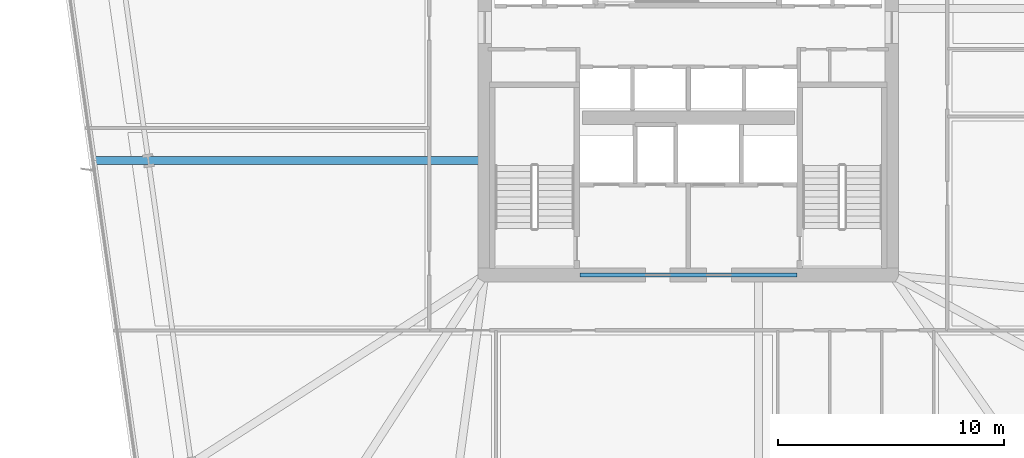
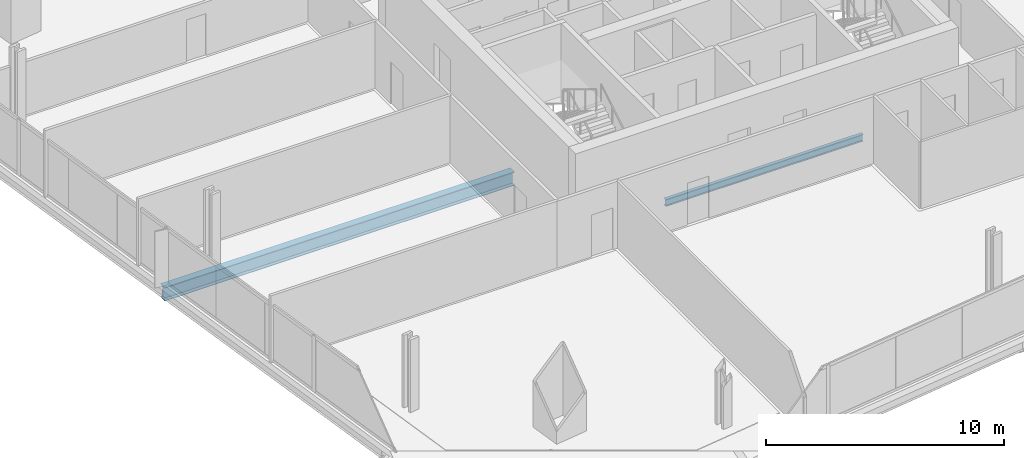
# One storey, part 8 of 33: 2 beams.
"""IFC4 building model written with IfcOpenShell, lengths in metres."""

from ifc_helpers import new_model, si_unit, direction, frame, origin, origin_2d, place, context, subcontext, project, spatial, i_section, extrude, material, material_profile, profile_set, type_object, element, save


model = new_model("IFC4")

# Units and contexts
model_context = context("Model", 3, precision=1e-05, world=origin(), true_north=direction((0.0, 1.0)))
body_context = subcontext(model_context, "Body", "Model", "MODEL_VIEW")
ifc_project = project(units=[si_unit("LENGTHUNIT", "METRE"), si_unit("AREAUNIT", "SQUARE_METRE"), si_unit("VOLUMEUNIT", "CUBIC_METRE"), si_unit("PLANEANGLEUNIT", "RADIAN"), si_unit("MASSUNIT", "GRAM", prefix="KILO")], contexts=[model_context])

# Site, building, storey
site_placement = place(None, origin())
site = spatial("IfcSite", under=ifc_project, at=site_placement, CompositionType="ELEMENT")
building_placement = place(site_placement, origin())
building = spatial("IfcBuilding", under=site, at=building_placement, Name="Haldenkirk Collegiate Tower", CompositionType="ELEMENT")
storey_placement = place(building_placement, frame((0.0, 0.0, 55.199951171875)))
storey = spatial("IfcBuildingStorey", under=building, at=storey_placement, Name="L12", CompositionType="ELEMENT", Elevation=55.199951171875)

# Beams
ifc_material = material(Name="Steel ASTM A992 Grade 50", Category="steel")
ifc_material_profile_1 = material_profile(ifc_material, i_section(OverallWidth=0.35498046875, OverallDepth=0.696044921875, WebThickness=0.015380859375, FlangeThickness=0.02490234375, at=origin_2d()), Name="W27X146")
ifc_profile_set_1 = profile_set([ifc_material_profile_1], Name="Steel ASTM A992 Grade 50")
beam_type_1 = type_object("IfcBeamType", Name="BM-GIRDER-W27X146", PredefinedType="BEAM", material=ifc_profile_set_1)
beam_1_placement = place(storey_placement, frame((9.723876953125, 23.052978515625, -0.657958984375), z_axis=(1.0, 0.0, 0.0), x_axis=(0.0, 1.0, 0.0)))
element("IfcBeam", 1, at=beam_1_placement, inside=storey, type_object=beam_type_1, Name="L12 primary floor girder 15", PredefinedType="BEAM", context=body_context, shape_type="SweptSolid", body=[
    extrude(i_section(OverallWidth=0.35498046875, OverallDepth=0.696044921875, WebThickness=0.015380859375, FlangeThickness=0.02490234375, at=origin_2d()), origin(), (0.0, 0.0, 1.0), 16.99609375),
])
ifc_material_profile_2 = material_profile(ifc_material, i_section(OverallWidth=0.1708984375, OverallDepth=0.35595703125, WebThickness=0.007080078125, FlangeThickness=0.01171875, at=origin_2d()), Name="W14X34")
ifc_profile_set_2 = profile_set([ifc_material_profile_2], Name="Steel ASTM A992 Grade 50")
beam_type_2 = type_object("IfcBeamType", Name="BM-LINTEL-W14X34", PredefinedType="LINTEL", material=ifc_profile_set_2)
beam_2_placement = place(storey_placement, frame((31.199951171875, 18.0, -0.488037109375), z_axis=(1.0, 0.0, 0.0), x_axis=(0.0, 1.0, 0.0)))
element("IfcBeam", 2, at=beam_2_placement, inside=storey, type_object=beam_type_2, Name="L12 south core coupling lintel", PredefinedType="LINTEL", context=body_context, shape_type="SweptSolid", body=[
    extrude(i_section(OverallWidth=0.1708984375, OverallDepth=0.35595703125, WebThickness=0.007080078125, FlangeThickness=0.01171875, at=origin_2d()), origin(), (0.0, 0.0, 1.0), 9.60009765625),
])

save(model, "model.ifc")
